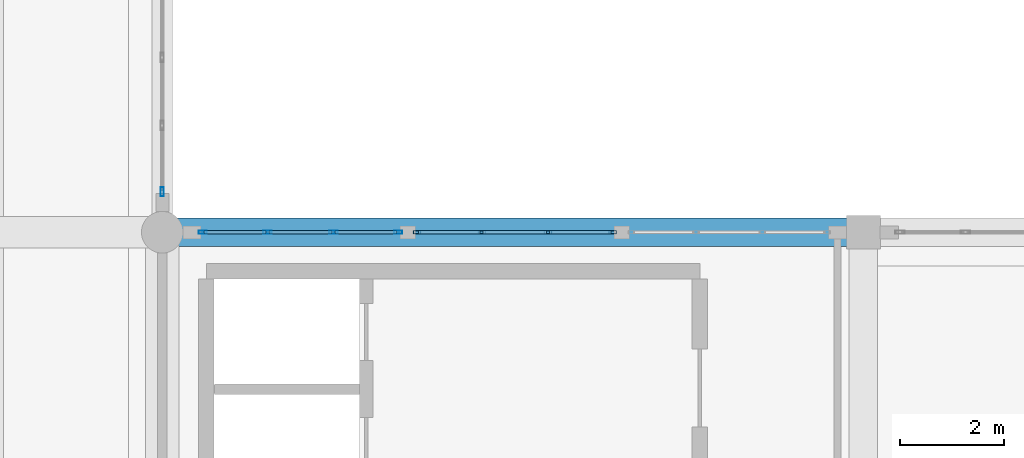
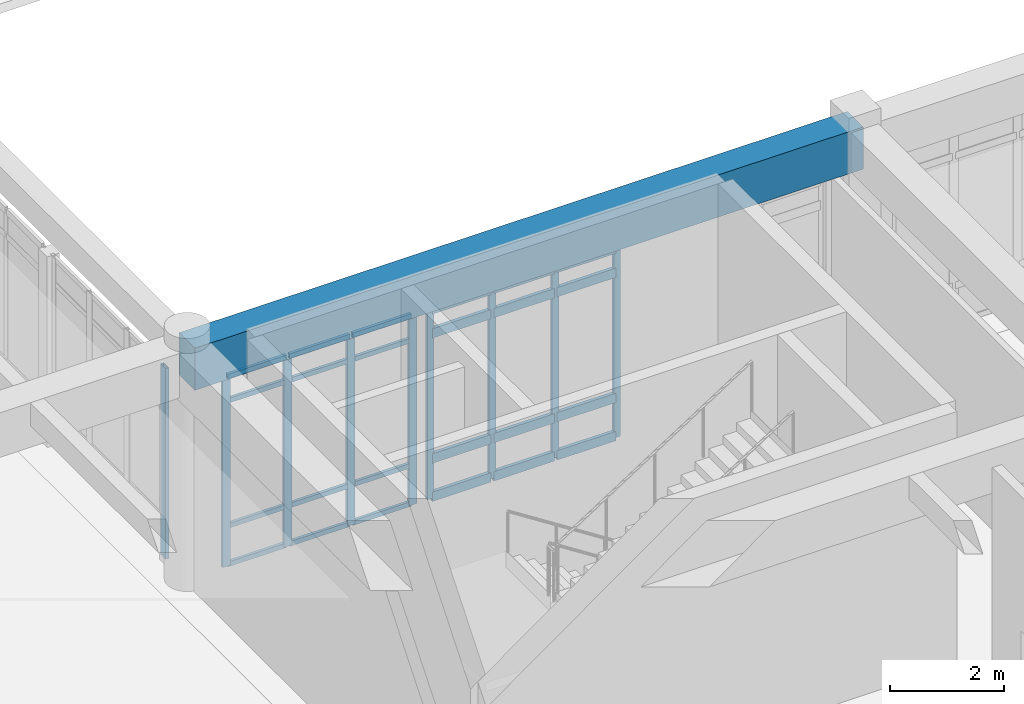
# One storey, part 5 of 138: 33 members, 1 beam, 3 elements without a shape of their own.
"""IFC4 building model written with IfcOpenShell, lengths in metres."""

from ifc_helpers import new_model, si_unit, direction, frame, origin, origin_2d, place, context, subcontext, project, spatial, rectangle, hollow_rectangle, extrude, material, layer, layer_set, material_profile, profile_set, type_object, element, aggregate, save


model = new_model("IFC4")

# Units and contexts
model_context = context("Model", 3, precision=1e-05, world=origin(), true_north=direction((0.0, 1.0)))
body_context = subcontext(model_context, "Body", "Model", "MODEL_VIEW")
ifc_project = project(units=[si_unit("LENGTHUNIT", "METRE"), si_unit("AREAUNIT", "SQUARE_METRE"), si_unit("VOLUMEUNIT", "CUBIC_METRE"), si_unit("PLANEANGLEUNIT", "RADIAN"), si_unit("MASSUNIT", "GRAM", prefix="KILO")], contexts=[model_context])

# Site, building, storey
site_placement = place(None, origin())
site = spatial("IfcSite", under=ifc_project, at=site_placement, CompositionType="ELEMENT")
building_placement = place(site_placement, origin())
building = spatial("IfcBuilding", under=site, at=building_placement, Name="Fikremerkos Civic Library", CompositionType="ELEMENT")
storey_placement = place(building_placement, origin())
storey = spatial("IfcBuildingStorey", under=building, at=storey_placement, Name="L00", CompositionType="ELEMENT", Elevation=0.0)

# Curtain wall, member
ifc_material_1 = material(Name="Anodized aluminium Frame", Category="aluminium")
ifc_layer_1 = layer(ifc_material_1, 0.159912109375, Name="Anodized aluminium Frame")
ifc_layer_set_1 = layer_set([ifc_layer_1], Name="Anodized aluminium Frame")
curtain_wall_type_1 = type_object("IfcCurtainWallType", Name="Unitised curtain wall CW-05 3800x4100", PredefinedType="USERDEFINED", material=ifc_layer_set_1)
curtain_wall_1_placement = place(storey_placement, origin())
curtain_wall_1 = element("IfcCurtainWall", 1, at=curtain_wall_1_placement, inside=storey, type_object=curtain_wall_type_1, Name="Unitised curtain wall CW-05 L00 #5", ObjectType="UNITISED CURTAIN WALL", PredefinedType="USERDEFINED")
ifc_material_profile_1 = material_profile(ifc_material_1, hollow_rectangle(XDim=0.06494140625, YDim=0.179931640625, WallThickness=0.00439453125, at=origin_2d()), Name="ALU 180x65x4.5")
ifc_profile_set_1 = profile_set([ifc_material_profile_1], Name="Anodized aluminium Frame")
member_type_1 = type_object("IfcMemberType", Name="Curtain mullion CWM-01 ALU 180x65x4.5", PredefinedType="MULLION", material=ifc_profile_set_1)
member_1_placement = place(storey_placement, frame((19.199951171875, 31.98046875, 0.0), z_axis=(0.0, 0.0, 1.0), x_axis=(1.0, 0.0, 0.0)))
member_1 = element("IfcMember", 2, at=member_1_placement, type_object=member_type_1, Name="CW-05 mullion 4", PredefinedType="MULLION", context=body_context, shape_type="SweptSolid", body=[
    extrude(hollow_rectangle(XDim=0.06494140625, YDim=0.179931640625, WallThickness=0.00439453125, at=origin_2d()), origin(), (0.0, 0.0, 1.0), 4.070068359375),
])
aggregate(curtain_wall_1, [member_1])

# Curtain wall, members
ifc_layer_2 = layer(ifc_material_1, 0.159912109375, Name="Anodized aluminium Frame")
ifc_layer_set_2 = layer_set([ifc_layer_2], Name="Anodized aluminium Frame")
curtain_wall_type_2 = type_object("IfcCurtainWallType", Name="Unitised curtain wall CW-06 4200x4100", PredefinedType="USERDEFINED", material=ifc_layer_set_2)
curtain_wall_2_placement = place(storey_placement, origin())
curtain_wall_2 = element("IfcCurtainWall", 3, at=curtain_wall_2_placement, inside=storey, type_object=curtain_wall_type_2, Name="Unitised curtain wall CW-06 L00 #6", ObjectType="UNITISED CURTAIN WALL", PredefinedType="USERDEFINED")
ifc_material_profile_2 = material_profile(ifc_material_1, hollow_rectangle(XDim=0.06005859375, YDim=0.159912109375, WallThickness=0.00390625, at=origin_2d()), Name="ALU 160x60x4")
ifc_profile_set_2 = profile_set([ifc_material_profile_2], Name="Anodized aluminium Frame")
member_type_2 = type_object("IfcMemberType", Name="Curtain mullion CWM-02 ALU 160x60x4", PredefinedType="MULLION", material=ifc_profile_set_2)
member_2_placement = place(storey_placement, frame((19.97802734375, 31.199951171875, 0.0), z_axis=(0.0, 0.0, 1.0), x_axis=(0.0, 1.0, 0.0)))
member_2 = element("IfcMember", 4, at=member_2_placement, type_object=member_type_2, Name="CW-06 mullion 1", PredefinedType="MULLION", context=body_context, shape_type="SweptSolid", body=[
    extrude(hollow_rectangle(XDim=0.06005859375, YDim=0.159912109375, WallThickness=0.00390625, at=origin_2d()), origin(), (0.0, 0.0, 1.0), 4.070068359375),
])
member_3_placement = place(storey_placement, frame((21.223388671875, 31.199951171875, 0.0), z_axis=(0.0, 0.0, 1.0), x_axis=(0.0, 1.0, 0.0)))
member_3 = element("IfcMember", 5, at=member_3_placement, type_object=member_type_2, Name="CW-06 mullion 2", PredefinedType="MULLION", context=body_context, shape_type="SweptSolid", body=[
    extrude(hollow_rectangle(XDim=0.06005859375, YDim=0.159912109375, WallThickness=0.00390625, at=origin_2d()), origin(), (0.0, 0.0, 1.0), 4.070068359375),
])
member_4_placement = place(storey_placement, frame((22.498779296875, 31.199951171875, 0.0), z_axis=(0.0, 0.0, 1.0), x_axis=(0.0, 1.0, 0.0)))
member_4 = element("IfcMember", 6, at=member_4_placement, type_object=member_type_2, Name="CW-06 mullion 3", PredefinedType="MULLION", context=body_context, shape_type="SweptSolid", body=[
    extrude(hollow_rectangle(XDim=0.06005859375, YDim=0.159912109375, WallThickness=0.00390625, at=origin_2d()), origin(), (0.0, 0.0, 1.0), 4.070068359375),
])
member_5_placement = place(storey_placement, frame((23.744384765625, 31.199951171875, 0.0), z_axis=(0.0, 0.0, 1.0), x_axis=(0.0, 1.0, 0.0)))
member_5 = element("IfcMember", 7, at=member_5_placement, type_object=member_type_2, Name="CW-06 mullion 4", PredefinedType="MULLION", context=body_context, shape_type="SweptSolid", body=[
    extrude(hollow_rectangle(XDim=0.06005859375, YDim=0.159912109375, WallThickness=0.00390625, at=origin_2d()), origin(), (0.0, 0.0, 1.0), 4.070068359375),
])

ifc_layer_3 = layer(ifc_material_1, 0.159912109375, Name="Anodized aluminium Frame")
ifc_layer_set_3 = layer_set([ifc_layer_3], Name="Anodized aluminium Frame")
curtain_wall_type_3 = type_object("IfcCurtainWallType", Name="Unitised curtain wall CW-07 3500x4100", PredefinedType="USERDEFINED", material=ifc_layer_set_3)
curtain_wall_3_placement = place(storey_placement, origin())
curtain_wall_3 = element("IfcCurtainWall", 8, at=curtain_wall_3_placement, inside=storey, type_object=curtain_wall_type_3, Name="Unitised curtain wall CW-07 L00 #7", ObjectType="UNITISED CURTAIN WALL", PredefinedType="USERDEFINED")
ifc_material_profile_3 = material_profile(ifc_material_1, hollow_rectangle(XDim=0.06005859375, YDim=0.139892578125, WallThickness=0.00390625, at=origin_2d()), Name="ALU 140x60x4")
ifc_profile_set_3 = profile_set([ifc_material_profile_3], Name="Anodized aluminium Frame")
member_type_3 = type_object("IfcMemberType", Name="Curtain mullion CWM-03 ALU 140x60x4", PredefinedType="MULLION", material=ifc_profile_set_3)
member_6_placement = place(storey_placement, frame((24.104248046875, 31.199951171875, 0.0), z_axis=(0.0, 0.0, 1.0), x_axis=(0.0, 1.0, 0.0)))
member_6 = element("IfcMember", 9, at=member_6_placement, type_object=member_type_3, Name="CW-07 mullion 1", PredefinedType="MULLION", context=body_context, shape_type="SweptSolid", body=[
    extrude(hollow_rectangle(XDim=0.06005859375, YDim=0.139892578125, WallThickness=0.00390625, at=origin_2d()), origin(), (0.0, 0.0, 1.0), 4.070068359375),
])
member_7_placement = place(storey_placement, frame((25.349853515625, 31.199951171875, 0.0), z_axis=(0.0, 0.0, 1.0), x_axis=(0.0, 1.0, 0.0)))
member_7 = element("IfcMember", 10, at=member_7_placement, type_object=member_type_3, Name="CW-07 mullion 2", PredefinedType="MULLION", context=body_context, shape_type="SweptSolid", body=[
    extrude(hollow_rectangle(XDim=0.06005859375, YDim=0.139892578125, WallThickness=0.00390625, at=origin_2d()), origin(), (0.0, 0.0, 1.0), 4.070068359375),
])
member_8_placement = place(storey_placement, frame((26.625244140625, 31.199951171875, 0.0), z_axis=(0.0, 0.0, 1.0), x_axis=(0.0, 1.0, 0.0)))
member_8 = element("IfcMember", 11, at=member_8_placement, type_object=member_type_3, Name="CW-07 mullion 3", PredefinedType="MULLION", context=body_context, shape_type="SweptSolid", body=[
    extrude(hollow_rectangle(XDim=0.06005859375, YDim=0.139892578125, WallThickness=0.00390625, at=origin_2d()), origin(), (0.0, 0.0, 1.0), 4.070068359375),
])
member_9_placement = place(storey_placement, frame((27.87060546875, 31.199951171875, 0.0), z_axis=(0.0, 0.0, 1.0), x_axis=(0.0, 1.0, 0.0)))
member_9 = element("IfcMember", 12, at=member_9_placement, type_object=member_type_3, Name="CW-07 mullion 4", PredefinedType="MULLION", context=body_context, shape_type="SweptSolid", body=[
    extrude(hollow_rectangle(XDim=0.06005859375, YDim=0.139892578125, WallThickness=0.00390625, at=origin_2d()), origin(), (0.0, 0.0, 1.0), 4.070068359375),
])

# Member
ifc_material_profile_4 = material_profile(ifc_material_1, hollow_rectangle(XDim=0.06005859375, YDim=0.10009765625, WallThickness=0.00390625, at=origin_2d()), Name="ALU 100x60x4")
ifc_profile_set_4 = profile_set([ifc_material_profile_4], Name="Anodized aluminium Frame")
member_type_4 = type_object("IfcMemberType", Name="Curtain transom CWT-03 ALU 100x60x4", PredefinedType="USERDEFINED", material=ifc_profile_set_4)
member_10_placement = place(storey_placement, frame((20.008056640625, 31.199951171875, 0.030029296875), z_axis=(1.0, 0.0, 0.0), x_axis=(0.0, 1.0, 0.0)))
member_10 = element("IfcMember", 13, at=member_10_placement, type_object=member_type_4, Name="CW-06 transom 1.1", ObjectType="TRANSOM", PredefinedType="USERDEFINED", context=body_context, shape_type="SweptSolid", body=[
    extrude(hollow_rectangle(XDim=0.06005859375, YDim=0.10009765625, WallThickness=0.00390625, at=origin_2d()), origin(), (0.0, 0.0, 1.0), 1.185302734375),
])

member_11_placement = place(storey_placement, frame((20.008056640625, 31.199951171875, 0.85009765625), z_axis=(1.0, 0.0, 0.0), x_axis=(0.0, 1.0, 0.0)))
member_11 = element("IfcMember", 14, at=member_11_placement, type_object=member_type_4, Name="CW-06 transom 1.2", ObjectType="TRANSOM", PredefinedType="USERDEFINED", context=body_context, shape_type="SweptSolid", body=[
    extrude(hollow_rectangle(XDim=0.06005859375, YDim=0.10009765625, WallThickness=0.00390625, at=origin_2d()), origin(), (0.0, 0.0, 1.0), 1.185302734375),
])

member_12_placement = place(storey_placement, frame((20.008056640625, 31.199951171875, 3.52001953125), z_axis=(1.0, 0.0, 0.0), x_axis=(0.0, 1.0, 0.0)))
member_12 = element("IfcMember", 15, at=member_12_placement, type_object=member_type_4, Name="CW-06 transom 1.3", ObjectType="TRANSOM", PredefinedType="USERDEFINED", context=body_context, shape_type="SweptSolid", body=[
    extrude(hollow_rectangle(XDim=0.06005859375, YDim=0.10009765625, WallThickness=0.00390625, at=origin_2d()), origin(), (0.0, 0.0, 1.0), 1.185302734375),
])

member_13_placement = place(storey_placement, frame((20.008056640625, 31.199951171875, 4.0400390625), z_axis=(1.0, 0.0, 0.0), x_axis=(0.0, 1.0, 0.0)))
member_13 = element("IfcMember", 16, at=member_13_placement, type_object=member_type_4, Name="CW-06 transom 1.4", ObjectType="TRANSOM", PredefinedType="USERDEFINED", context=body_context, shape_type="SweptSolid", body=[
    extrude(hollow_rectangle(XDim=0.06005859375, YDim=0.10009765625, WallThickness=0.00390625, at=origin_2d()), origin(), (0.0, 0.0, 1.0), 1.185302734375),
])

member_14_placement = place(storey_placement, frame((21.25341796875, 31.199951171875, 0.030029296875), z_axis=(1.0, 0.0, 0.0), x_axis=(0.0, 1.0, 0.0)))
member_14 = element("IfcMember", 17, at=member_14_placement, type_object=member_type_4, Name="CW-06 transom 2.1", ObjectType="TRANSOM", PredefinedType="USERDEFINED", context=body_context, shape_type="SweptSolid", body=[
    extrude(hollow_rectangle(XDim=0.06005859375, YDim=0.10009765625, WallThickness=0.00390625, at=origin_2d()), origin(), (0.0, 0.0, 1.0), 1.215576171875),
])

member_15_placement = place(storey_placement, frame((21.25341796875, 31.199951171875, 0.85009765625), z_axis=(1.0, 0.0, 0.0), x_axis=(0.0, 1.0, 0.0)))
member_15 = element("IfcMember", 18, at=member_15_placement, type_object=member_type_4, Name="CW-06 transom 2.2", ObjectType="TRANSOM", PredefinedType="USERDEFINED", context=body_context, shape_type="SweptSolid", body=[
    extrude(hollow_rectangle(XDim=0.06005859375, YDim=0.10009765625, WallThickness=0.00390625, at=origin_2d()), origin(), (0.0, 0.0, 1.0), 1.215576171875),
])

member_16_placement = place(storey_placement, frame((21.25341796875, 31.199951171875, 3.52001953125), z_axis=(1.0, 0.0, 0.0), x_axis=(0.0, 1.0, 0.0)))
member_16 = element("IfcMember", 19, at=member_16_placement, type_object=member_type_4, Name="CW-06 transom 2.3", ObjectType="TRANSOM", PredefinedType="USERDEFINED", context=body_context, shape_type="SweptSolid", body=[
    extrude(hollow_rectangle(XDim=0.06005859375, YDim=0.10009765625, WallThickness=0.00390625, at=origin_2d()), origin(), (0.0, 0.0, 1.0), 1.215576171875),
])

member_17_placement = place(storey_placement, frame((21.25341796875, 31.199951171875, 4.0400390625), z_axis=(1.0, 0.0, 0.0), x_axis=(0.0, 1.0, 0.0)))
member_17 = element("IfcMember", 20, at=member_17_placement, type_object=member_type_4, Name="CW-06 transom 2.4", ObjectType="TRANSOM", PredefinedType="USERDEFINED", context=body_context, shape_type="SweptSolid", body=[
    extrude(hollow_rectangle(XDim=0.06005859375, YDim=0.10009765625, WallThickness=0.00390625, at=origin_2d()), origin(), (0.0, 0.0, 1.0), 1.215576171875),
])

member_18_placement = place(storey_placement, frame((22.52880859375, 31.199951171875, 0.030029296875), z_axis=(1.0, 0.0, 0.0), x_axis=(0.0, 1.0, 0.0)))
member_18 = element("IfcMember", 21, at=member_18_placement, type_object=member_type_4, Name="CW-06 transom 3.1", ObjectType="TRANSOM", PredefinedType="USERDEFINED", context=body_context, shape_type="SweptSolid", body=[
    extrude(hollow_rectangle(XDim=0.06005859375, YDim=0.10009765625, WallThickness=0.00390625, at=origin_2d()), origin(), (0.0, 0.0, 1.0), 1.185546875),
])

member_19_placement = place(storey_placement, frame((22.52880859375, 31.199951171875, 0.85009765625), z_axis=(1.0, 0.0, 0.0), x_axis=(0.0, 1.0, 0.0)))
member_19 = element("IfcMember", 22, at=member_19_placement, type_object=member_type_4, Name="CW-06 transom 3.2", ObjectType="TRANSOM", PredefinedType="USERDEFINED", context=body_context, shape_type="SweptSolid", body=[
    extrude(hollow_rectangle(XDim=0.06005859375, YDim=0.10009765625, WallThickness=0.00390625, at=origin_2d()), origin(), (0.0, 0.0, 1.0), 1.185546875),
])

member_20_placement = place(storey_placement, frame((22.52880859375, 31.199951171875, 3.52001953125), z_axis=(1.0, 0.0, 0.0), x_axis=(0.0, 1.0, 0.0)))
member_20 = element("IfcMember", 23, at=member_20_placement, type_object=member_type_4, Name="CW-06 transom 3.3", ObjectType="TRANSOM", PredefinedType="USERDEFINED", context=body_context, shape_type="SweptSolid", body=[
    extrude(hollow_rectangle(XDim=0.06005859375, YDim=0.10009765625, WallThickness=0.00390625, at=origin_2d()), origin(), (0.0, 0.0, 1.0), 1.185546875),
])

member_21_placement = place(storey_placement, frame((22.52880859375, 31.199951171875, 4.0400390625), z_axis=(1.0, 0.0, 0.0), x_axis=(0.0, 1.0, 0.0)))
member_21 = element("IfcMember", 24, at=member_21_placement, type_object=member_type_4, Name="CW-06 transom 3.4", ObjectType="TRANSOM", PredefinedType="USERDEFINED", context=body_context, shape_type="SweptSolid", body=[
    extrude(hollow_rectangle(XDim=0.06005859375, YDim=0.10009765625, WallThickness=0.00390625, at=origin_2d()), origin(), (0.0, 0.0, 1.0), 1.185546875),
])

aggregate(curtain_wall_2, [member_2, member_3, member_4, member_5, member_10, member_11, member_12, member_13, member_14, member_15, member_16, member_17, member_18, member_19, member_20, member_21])

ifc_material_profile_5 = material_profile(ifc_material_1, hollow_rectangle(XDim=0.070068359375, YDim=0.199951171875, WallThickness=0.0048828125, at=origin_2d()), Name="ALU 200x70x5")
ifc_profile_set_5 = profile_set([ifc_material_profile_5], Name="Anodized aluminium Frame")
member_type_5 = type_object("IfcMemberType", Name="Curtain transom CWT-04 ALU 200x70x5", PredefinedType="USERDEFINED", material=ifc_profile_set_5)
member_22_placement = place(storey_placement, frame((24.13427734375, 31.199951171875, 0.034912109375), z_axis=(1.0, 0.0, 0.0), x_axis=(0.0, 1.0, 0.0)))
member_22 = element("IfcMember", 25, at=member_22_placement, type_object=member_type_5, Name="CW-07 transom 1.1", ObjectType="TRANSOM", PredefinedType="USERDEFINED", context=body_context, shape_type="SweptSolid", body=[
    extrude(hollow_rectangle(XDim=0.070068359375, YDim=0.199951171875, WallThickness=0.0048828125, at=origin_2d()), origin(), (0.0, 0.0, 1.0), 1.185546875),
])

member_23_placement = place(storey_placement, frame((24.13427734375, 31.199951171875, 0.85009765625), z_axis=(1.0, 0.0, 0.0), x_axis=(0.0, 1.0, 0.0)))
member_23 = element("IfcMember", 26, at=member_23_placement, type_object=member_type_5, Name="CW-07 transom 1.2", ObjectType="TRANSOM", PredefinedType="USERDEFINED", context=body_context, shape_type="SweptSolid", body=[
    extrude(hollow_rectangle(XDim=0.070068359375, YDim=0.199951171875, WallThickness=0.0048828125, at=origin_2d()), origin(), (0.0, 0.0, 1.0), 1.185546875),
])

member_24_placement = place(storey_placement, frame((24.13427734375, 31.199951171875, 3.52001953125), z_axis=(1.0, 0.0, 0.0), x_axis=(0.0, 1.0, 0.0)))
member_24 = element("IfcMember", 27, at=member_24_placement, type_object=member_type_5, Name="CW-07 transom 1.3", ObjectType="TRANSOM", PredefinedType="USERDEFINED", context=body_context, shape_type="SweptSolid", body=[
    extrude(hollow_rectangle(XDim=0.070068359375, YDim=0.199951171875, WallThickness=0.0048828125, at=origin_2d()), origin(), (0.0, 0.0, 1.0), 1.185546875),
])

member_25_placement = place(storey_placement, frame((24.13427734375, 31.199951171875, 4.034912109375), z_axis=(1.0, 0.0, 0.0), x_axis=(0.0, 1.0, 0.0)))
member_25 = element("IfcMember", 28, at=member_25_placement, type_object=member_type_5, Name="CW-07 transom 1.4", ObjectType="TRANSOM", PredefinedType="USERDEFINED", context=body_context, shape_type="SweptSolid", body=[
    extrude(hollow_rectangle(XDim=0.070068359375, YDim=0.199951171875, WallThickness=0.0048828125, at=origin_2d()), origin(), (0.0, 0.0, 1.0), 1.185546875),
])

member_26_placement = place(storey_placement, frame((25.3798828125, 31.199951171875, 0.034912109375), z_axis=(1.0, 0.0, 0.0), x_axis=(0.0, 1.0, 0.0)))
member_26 = element("IfcMember", 29, at=member_26_placement, type_object=member_type_5, Name="CW-07 transom 2.1", ObjectType="TRANSOM", PredefinedType="USERDEFINED", context=body_context, shape_type="SweptSolid", body=[
    extrude(hollow_rectangle(XDim=0.070068359375, YDim=0.199951171875, WallThickness=0.0048828125, at=origin_2d()), origin(), (0.0, 0.0, 1.0), 1.21533203125),
])

member_27_placement = place(storey_placement, frame((25.3798828125, 31.199951171875, 0.85009765625), z_axis=(1.0, 0.0, 0.0), x_axis=(0.0, 1.0, 0.0)))
member_27 = element("IfcMember", 30, at=member_27_placement, type_object=member_type_5, Name="CW-07 transom 2.2", ObjectType="TRANSOM", PredefinedType="USERDEFINED", context=body_context, shape_type="SweptSolid", body=[
    extrude(hollow_rectangle(XDim=0.070068359375, YDim=0.199951171875, WallThickness=0.0048828125, at=origin_2d()), origin(), (0.0, 0.0, 1.0), 1.21533203125),
])

member_28_placement = place(storey_placement, frame((25.3798828125, 31.199951171875, 3.52001953125), z_axis=(1.0, 0.0, 0.0), x_axis=(0.0, 1.0, 0.0)))
member_28 = element("IfcMember", 31, at=member_28_placement, type_object=member_type_5, Name="CW-07 transom 2.3", ObjectType="TRANSOM", PredefinedType="USERDEFINED", context=body_context, shape_type="SweptSolid", body=[
    extrude(hollow_rectangle(XDim=0.070068359375, YDim=0.199951171875, WallThickness=0.0048828125, at=origin_2d()), origin(), (0.0, 0.0, 1.0), 1.21533203125),
])

member_29_placement = place(storey_placement, frame((25.3798828125, 31.199951171875, 4.034912109375), z_axis=(1.0, 0.0, 0.0), x_axis=(0.0, 1.0, 0.0)))
member_29 = element("IfcMember", 32, at=member_29_placement, type_object=member_type_5, Name="CW-07 transom 2.4", ObjectType="TRANSOM", PredefinedType="USERDEFINED", context=body_context, shape_type="SweptSolid", body=[
    extrude(hollow_rectangle(XDim=0.070068359375, YDim=0.199951171875, WallThickness=0.0048828125, at=origin_2d()), origin(), (0.0, 0.0, 1.0), 1.21533203125),
])

member_30_placement = place(storey_placement, frame((26.6552734375, 31.199951171875, 0.034912109375), z_axis=(1.0, 0.0, 0.0), x_axis=(0.0, 1.0, 0.0)))
member_30 = element("IfcMember", 33, at=member_30_placement, type_object=member_type_5, Name="CW-07 transom 3.1", ObjectType="TRANSOM", PredefinedType="USERDEFINED", context=body_context, shape_type="SweptSolid", body=[
    extrude(hollow_rectangle(XDim=0.070068359375, YDim=0.199951171875, WallThickness=0.0048828125, at=origin_2d()), origin(), (0.0, 0.0, 1.0), 1.185302734375),
])

member_31_placement = place(storey_placement, frame((26.6552734375, 31.199951171875, 0.85009765625), z_axis=(1.0, 0.0, 0.0), x_axis=(0.0, 1.0, 0.0)))
member_31 = element("IfcMember", 34, at=member_31_placement, type_object=member_type_5, Name="CW-07 transom 3.2", ObjectType="TRANSOM", PredefinedType="USERDEFINED", context=body_context, shape_type="SweptSolid", body=[
    extrude(hollow_rectangle(XDim=0.070068359375, YDim=0.199951171875, WallThickness=0.0048828125, at=origin_2d()), origin(), (0.0, 0.0, 1.0), 1.185302734375),
])

member_32_placement = place(storey_placement, frame((26.6552734375, 31.199951171875, 3.52001953125), z_axis=(1.0, 0.0, 0.0), x_axis=(0.0, 1.0, 0.0)))
member_32 = element("IfcMember", 35, at=member_32_placement, type_object=member_type_5, Name="CW-07 transom 3.3", ObjectType="TRANSOM", PredefinedType="USERDEFINED", context=body_context, shape_type="SweptSolid", body=[
    extrude(hollow_rectangle(XDim=0.070068359375, YDim=0.199951171875, WallThickness=0.0048828125, at=origin_2d()), origin(), (0.0, 0.0, 1.0), 1.185302734375),
])

member_33_placement = place(storey_placement, frame((26.6552734375, 31.199951171875, 4.034912109375), z_axis=(1.0, 0.0, 0.0), x_axis=(0.0, 1.0, 0.0)))
member_33 = element("IfcMember", 36, at=member_33_placement, type_object=member_type_5, Name="CW-07 transom 3.4", ObjectType="TRANSOM", PredefinedType="USERDEFINED", context=body_context, shape_type="SweptSolid", body=[
    extrude(hollow_rectangle(XDim=0.070068359375, YDim=0.199951171875, WallThickness=0.0048828125, at=origin_2d()), origin(), (0.0, 0.0, 1.0), 1.185302734375),
])

aggregate(curtain_wall_3, [member_6, member_7, member_8, member_9, member_22, member_23, member_24, member_25, member_26, member_27, member_28, member_29, member_30, member_31, member_32, member_33])

# Beam
ifc_material_2 = material(Name="Concrete C40/50", Category="concrete")
ifc_material_profile_6 = material_profile(ifc_material_2, rectangle(XDim=0.550048828125, YDim=0.89990234375, at=origin_2d()), Name="RC 550x900")
ifc_profile_set_6 = profile_set([ifc_material_profile_6], Name="Concrete C40/50")
beam_type = type_object("IfcBeamType", Name="Primary girder BM-02 RC 550x900", PredefinedType="BEAM", material=ifc_profile_set_6)
beam_placement = place(storey_placement, frame((19.199951171875, 31.199951171875, 4.6298828125), z_axis=(1.0, 0.0, 0.0), x_axis=(0.0, 1.0, 0.0)))
element("IfcBeam", 37, at=beam_placement, inside=storey, type_object=beam_type, Name="Primary girder BM-02 L00 grid G", PredefinedType="BEAM", context=body_context, shape_type="SweptSolid", body=[
    extrude(rectangle(XDim=0.550048828125, YDim=0.89990234375, at=origin_2d()), origin(), (0.0, 0.0, 1.0), 13.5),
])

save(model, "model.ifc")
